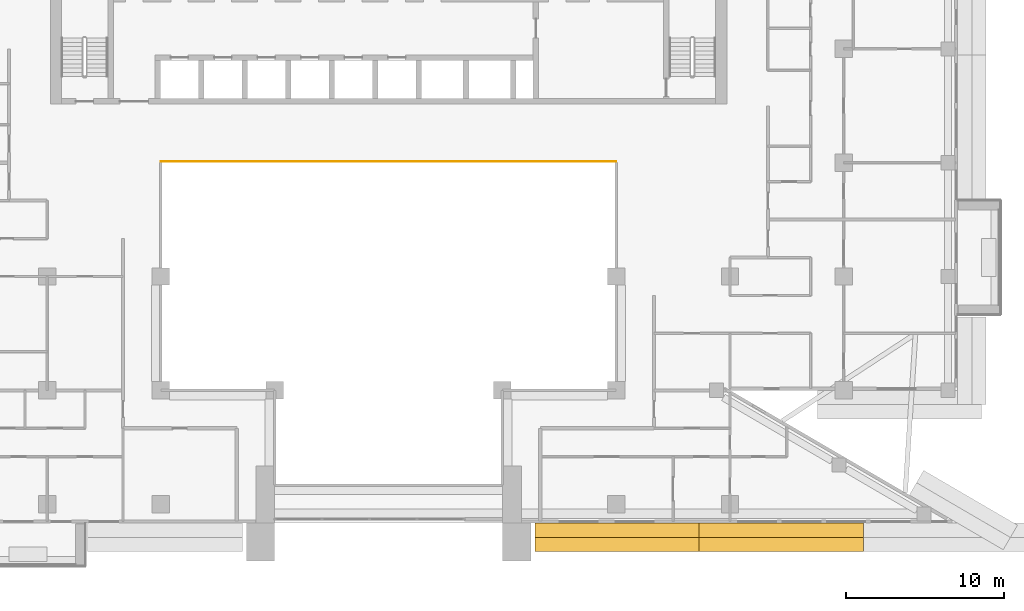
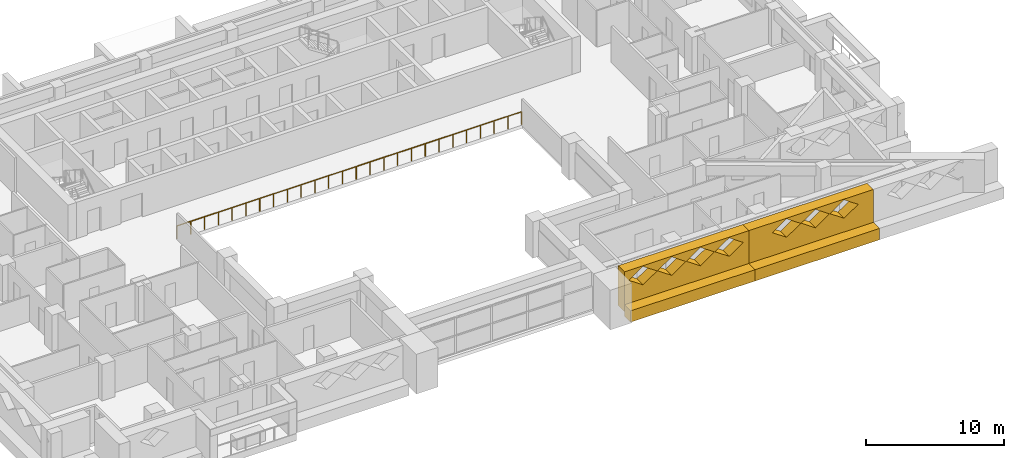
# One storey, part 15 of 19: 4 coverings, 1 railing.
"""IFC4 building model written with IfcOpenShell, lengths in metres."""

from ifc_helpers import new_model, si_unit, direction, frame, origin, origin_2d, place, context, subcontext, project, spatial, polyline, circle, outline, extrude, material, layer, layer_set, type_object, element, save


model = new_model("IFC4")

# Units and contexts
model_context = context("Model", 3, precision=1e-05, world=origin(), true_north=direction((0.0, 1.0)))
body_context = subcontext(model_context, "Body", "Model", "MODEL_VIEW")
ifc_project = project(units=[si_unit("LENGTHUNIT", "METRE"), si_unit("AREAUNIT", "SQUARE_METRE"), si_unit("VOLUMEUNIT", "CUBIC_METRE"), si_unit("PLANEANGLEUNIT", "RADIAN"), si_unit("MASSUNIT", "GRAM", prefix="KILO")], contexts=[model_context])

# Site, building, storey
site_placement = place(None, origin())
site = spatial("IfcSite", under=ifc_project, at=site_placement, CompositionType="ELEMENT")
building_placement = place(site_placement, origin())
building = spatial("IfcBuilding", under=site, at=building_placement, Name="Saffron Iwan Residences", CompositionType="ELEMENT")
storey_placement = place(building_placement, frame((0.0, 0.0, 120.0)))
storey = spatial("IfcBuildingStorey", under=building, at=storey_placement, Name="L31", CompositionType="ELEMENT", Elevation=120.0)

# Railing
ifc_material_1 = material(Name="Stainless steel 316", Category="steel")
railing_type = type_object("IfcRailingType", Name="Atrium guard 1150", PredefinedType="GUARDRAIL", material=ifc_material_1)
railing_placement = place(storey_placement, frame((36.0, 62.47509765625, 0.0)))
element("IfcRailing", 1, at=railing_placement, inside=storey, type_object=railing_type, Name="Atrium guard L31", PredefinedType="GUARDRAIL", context=body_context, shape_type="SweptSolid", body=[
    extrude(circle(Radius=0.02392578125, at=origin_2d()), frame((0.0, 0.0, 1.1259765625), z_axis=(1.0, 0.0, 0.0), x_axis=(0.0, 1.0, 0.0)), (0.0, 0.0, 1.0), 28.800048828125),
    extrude(circle(Radius=0.02099609375, at=origin_2d()), origin(), (0.0, 0.0, 1.0), 1.101806640625),
    extrude(circle(Radius=0.02099609375, at=origin_2d()), frame((1.152099609375, 0.0, 0.0)), (0.0, 0.0, 1.0), 1.101806640625),
    extrude(circle(Radius=0.02099609375, at=origin_2d()), frame((2.303955078125, 0.0, 0.0)), (0.0, 0.0, 1.0), 1.101806640625),
    extrude(circle(Radius=0.02099609375, at=origin_2d()), frame((3.4560546875, 0.0, 0.0)), (0.0, 0.0, 1.0), 1.101806640625),
    extrude(circle(Radius=0.02099609375, at=origin_2d()), frame((4.60791015625, 0.0, 0.0)), (0.0, 0.0, 1.0), 1.101806640625),
    extrude(circle(Radius=0.02099609375, at=origin_2d()), frame((5.760009765625, 0.0, 0.0)), (0.0, 0.0, 1.0), 1.101806640625),
    extrude(circle(Radius=0.02099609375, at=origin_2d()), frame((6.912109375, 0.0, 0.0)), (0.0, 0.0, 1.0), 1.101806640625),
    extrude(circle(Radius=0.02099609375, at=origin_2d()), frame((8.06396484375, 0.0, 0.0)), (0.0, 0.0, 1.0), 1.101806640625),
    extrude(circle(Radius=0.02099609375, at=origin_2d()), frame((9.216064453125, 0.0, 0.0)), (0.0, 0.0, 1.0), 1.101806640625),
    extrude(circle(Radius=0.02099609375, at=origin_2d()), frame((10.367919921875, 0.0, 0.0)), (0.0, 0.0, 1.0), 1.101806640625),
    extrude(circle(Radius=0.02099609375, at=origin_2d()), frame((11.52001953125, 0.0, 0.0)), (0.0, 0.0, 1.0), 1.101806640625),
    extrude(circle(Radius=0.02099609375, at=origin_2d()), frame((12.672119140625, 0.0, 0.0)), (0.0, 0.0, 1.0), 1.101806640625),
    extrude(circle(Radius=0.02099609375, at=origin_2d()), frame((13.823974609375, 0.0, 0.0)), (0.0, 0.0, 1.0), 1.101806640625),
    extrude(circle(Radius=0.02099609375, at=origin_2d()), frame((14.97607421875, 0.0, 0.0)), (0.0, 0.0, 1.0), 1.101806640625),
    extrude(circle(Radius=0.02099609375, at=origin_2d()), frame((16.1279296875, 0.0, 0.0)), (0.0, 0.0, 1.0), 1.101806640625),
    extrude(circle(Radius=0.02099609375, at=origin_2d()), frame((17.280029296875, 0.0, 0.0)), (0.0, 0.0, 1.0), 1.101806640625),
    extrude(circle(Radius=0.02099609375, at=origin_2d()), frame((18.43212890625, 0.0, 0.0)), (0.0, 0.0, 1.0), 1.101806640625),
    extrude(circle(Radius=0.02099609375, at=origin_2d()), frame((19.583984375, 0.0, 0.0)), (0.0, 0.0, 1.0), 1.101806640625),
    extrude(circle(Radius=0.02099609375, at=origin_2d()), frame((20.736083984375, 0.0, 0.0)), (0.0, 0.0, 1.0), 1.101806640625),
    extrude(circle(Radius=0.02099609375, at=origin_2d()), frame((21.887939453125, 0.0, 0.0)), (0.0, 0.0, 1.0), 1.101806640625),
    extrude(circle(Radius=0.02099609375, at=origin_2d()), frame((23.0400390625, 0.0, 0.0)), (0.0, 0.0, 1.0), 1.101806640625),
    extrude(circle(Radius=0.02099609375, at=origin_2d()), frame((24.192138671875, 0.0, 0.0)), (0.0, 0.0, 1.0), 1.101806640625),
    extrude(circle(Radius=0.02099609375, at=origin_2d()), frame((25.343994140625, 0.0, 0.0)), (0.0, 0.0, 1.0), 1.101806640625),
    extrude(circle(Radius=0.02099609375, at=origin_2d()), frame((26.49609375, 0.0, 0.0)), (0.0, 0.0, 1.0), 1.101806640625),
    extrude(circle(Radius=0.02099609375, at=origin_2d()), frame((27.64794921875, 0.0, 0.0)), (0.0, 0.0, 1.0), 1.101806640625),
    extrude(circle(Radius=0.02099609375, at=origin_2d()), frame((28.800048828125, 0.0, 0.0)), (0.0, 0.0, 1.0), 1.101806640625),
])

# Coverings
ifc_material_2 = material(Name="Precast concrete C40/50", Category="concrete")
covering_type_1 = type_object("IfcCoveringType", Name="OUTER SKIN LATTICE SCREEN", PredefinedType="CLADDING", material=ifc_material_2)
covering_1_placement = place(storey_placement, frame((59.64990234375, 39.60009765625, -0.300048828125), z_axis=(0.0, -1.0, 0.0), x_axis=(1.0, 0.0, 0.0)))
element("IfcCovering", 2, at=covering_1_placement, inside=storey, type_object=covering_type_1, Name="OUTER SKIN lattice screen L31 F11.2", PredefinedType="CLADDING", context=body_context, shape_type="SweptSolid", body=[
    extrude(outline(polyline([(0.0, 0.0), (10.396240234375, 0.0), (10.396240234375, 3.5), (0.0, 3.5), (0.0, 0.0)]), holes=[polyline([(0.3701171875, 2.625), (1.550048828125, 1.81005859375), (2.72998046875, 2.625), (1.550048828125, 3.43994140625), (0.3701171875, 2.625)]), polyline([(2.77001953125, 2.625), (3.949951171875, 1.81005859375), (5.1298828125, 2.625), (3.949951171875, 3.43994140625), (2.77001953125, 2.625)]), polyline([(5.169921875, 2.625), (6.35009765625, 1.81005859375), (7.530029296875, 2.625), (6.35009765625, 3.43994140625), (5.169921875, 2.625)]), polyline([(7.570068359375, 2.625), (8.75, 1.81005859375), (9.929931640625, 2.625), (8.75, 3.43994140625), (7.570068359375, 2.625)])]), origin(), (0.0, 0.0, 1.0), 0.900146484375),
])
covering_2_placement = place(storey_placement, frame((70.046142578125, 39.60009765625, -0.300048828125), z_axis=(0.0, -1.0, 0.0), x_axis=(1.0, 0.0, 0.0)))
element("IfcCovering", 3, at=covering_2_placement, inside=storey, type_object=covering_type_1, Name="OUTER SKIN lattice screen L31 F11.3", PredefinedType="CLADDING", context=body_context, shape_type="SweptSolid", body=[
    extrude(outline(polyline([(0.0, 0.0), (10.396240234375, 0.0), (10.396240234375, 3.5), (0.0, 3.5), (0.0, 0.0)]), holes=[polyline([(1.973876953125, 2.625), (3.15380859375, 1.81005859375), (4.333740234375, 2.625), (3.15380859375, 3.43994140625), (1.973876953125, 2.625)]), polyline([(4.373779296875, 2.625), (5.5537109375, 1.81005859375), (6.73388671875, 2.625), (5.5537109375, 3.43994140625), (4.373779296875, 2.625)]), polyline([(6.773681640625, 2.625), (7.953857421875, 1.81005859375), (9.1337890625, 2.625), (7.953857421875, 3.43994140625), (6.773681640625, 2.625)])]), origin(), (0.0, 0.0, 1.0), 0.900146484375),
])
ifc_material_3 = material(Name="Precast concrete C40/50 white painted", Category="concrete")
ifc_layer = layer(ifc_material_3, 0.89990234375)
ifc_layer_set = layer_set([ifc_layer], Name="Precast concrete C40/50 white painted")
covering_type_2 = type_object("IfcCoveringType", Name="WHITE EDGE BAND 900 x 1000", PredefinedType="CLADDING", material=ifc_layer_set)
covering_3_placement = place(storey_placement, frame((0.0, 0.0, -0.699951171875)))
element("IfcCovering", 4, at=covering_3_placement, inside=storey, type_object=covering_type_2, Name="White edge band L31 F11.2", PredefinedType="CLADDING", context=body_context, shape_type="SweptSolid", body=[
    extrude(outline(polyline([(59.64990234375, 37.800048828125), (70.046142578125, 37.800048828125), (70.046142578125, 38.699951171875), (59.64990234375, 38.699951171875), (59.64990234375, 37.800048828125)])), origin(), (0.0, 0.0, 1.0), 1.0),
])
covering_4_placement = place(storey_placement, frame((0.0, 0.0, -0.699951171875)))
element("IfcCovering", 5, at=covering_4_placement, inside=storey, type_object=covering_type_2, Name="White edge band L31 F11.3", PredefinedType="CLADDING", context=body_context, shape_type="SweptSolid", body=[
    extrude(outline(polyline([(70.046142578125, 37.800048828125), (80.4423828125, 37.800048828125), (80.4423828125, 38.699951171875), (70.046142578125, 38.699951171875), (70.046142578125, 37.800048828125)])), origin(), (0.0, 0.0, 1.0), 1.0),
])

save(model, "model.ifc")
